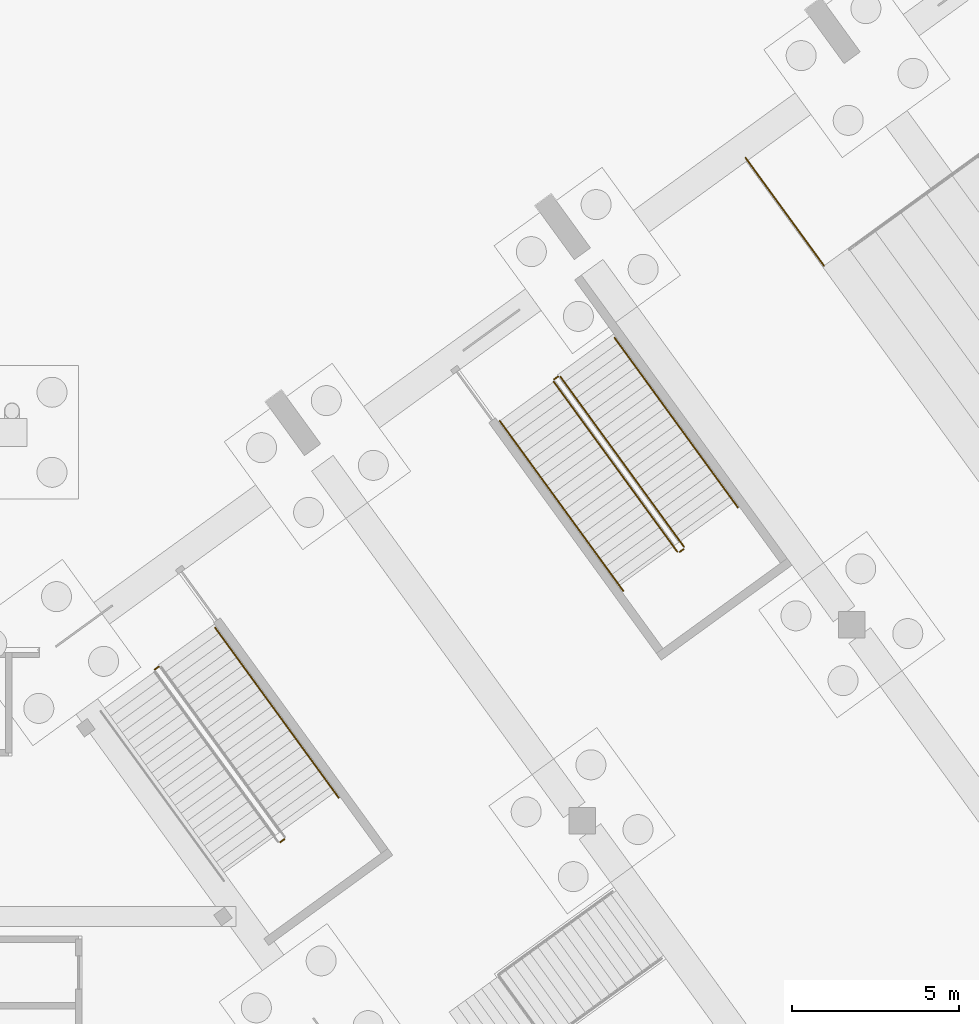
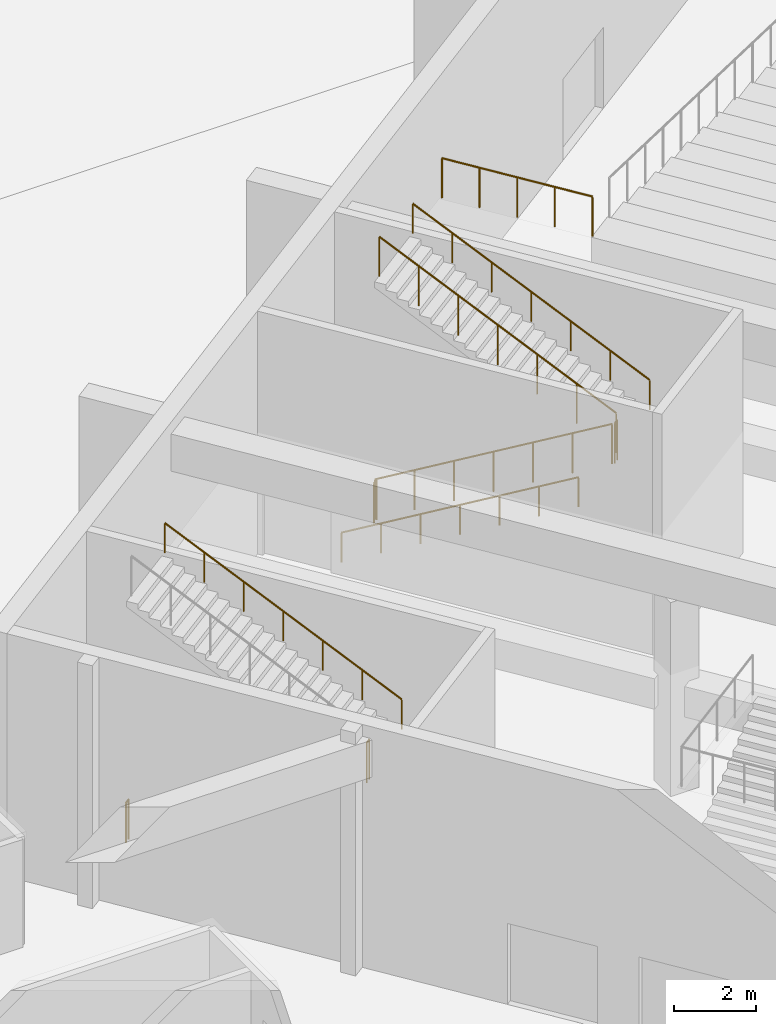
# One storey, part 234 of 239: 10 railings.
"""IFC4 building model written with IfcOpenShell, lengths in metres."""

from ifc_helpers import new_model, si_unit, direction, frame, origin, origin_2d, place, context, subcontext, project, spatial, circle, extrude, material, type_object, element, save


model = new_model("IFC4")

# Units and contexts
model_context = context("Model", 3, precision=1e-05, world=origin(), true_north=direction((0.0, 1.0)))
body_context = subcontext(model_context, "Body", "Model", "MODEL_VIEW")
ifc_project = project(units=[si_unit("LENGTHUNIT", "METRE"), si_unit("AREAUNIT", "SQUARE_METRE"), si_unit("VOLUMEUNIT", "CUBIC_METRE"), si_unit("PLANEANGLEUNIT", "RADIAN"), si_unit("MASSUNIT", "GRAM", prefix="KILO")], contexts=[model_context])

# Site, building, storey
site_placement = place(None, origin())
site = spatial("IfcSite", under=ifc_project, at=site_placement, CompositionType="ELEMENT")
building_placement = place(site_placement, origin())
building = spatial("IfcBuilding", under=site, at=building_placement, Name="Okhra Congress Centre", CompositionType="ELEMENT")
storey_placement = place(building_placement, origin())
storey = spatial("IfcBuildingStorey", under=building, at=storey_placement, Name="L00", CompositionType="ELEMENT", Elevation=0.0)

# Railings
ifc_material_1 = material(Name="Painted steel tube guard with vertical steel balusters", Category="steel")
railing_type_1 = type_object("IfcRailingType", Name="Steel guard 1200", PredefinedType="GUARDRAIL", material=ifc_material_1)
railing_1_placement = place(storey_placement, frame((221.348876953125, 211.393798828125, 3.60009765625)))
element("IfcRailing", 1, at=railing_1_placement, inside=storey, type_object=railing_type_1, Name="Promenade edge guard", PredefinedType="GUARDRAIL", context=body_context, shape_type="SweptSolid", body=[
    extrude(circle(Radius=0.02392578125, at=origin_2d()), frame((0.0, 0.0, 1.17578125), z_axis=(-0.587772420479, 0.809026317077, 0.0), x_axis=(-0.809026317077, -0.587772420479, 0.0)), (0.0, 0.0, 1.0), 4.0),
    extrude(circle(Radius=0.02099609375, at=origin_2d()), origin(), (0.0, 0.0, 1.0), 1.15185546875),
    extrude(circle(Radius=0.02099609375, at=origin_2d()), frame((-0.587890625, 0.80908203125, 0.0)), (0.0, 0.0, 1.0), 1.15185546875),
    extrude(circle(Radius=0.02099609375, at=origin_2d()), frame((-1.175537109375, 1.6181640625, 0.0)), (0.0, 0.0, 1.0), 1.15185546875),
    extrude(circle(Radius=0.02099609375, at=origin_2d()), frame((-1.76318359375, 2.427001953125, 0.0)), (0.0, 0.0, 1.0), 1.15185546875),
    extrude(circle(Radius=0.02099609375, at=origin_2d()), frame((-2.35107421875, 3.236083984375, 0.0)), (0.0, 0.0, 1.0), 1.15185546875),
])
ifc_material_2 = material(Name="Painted steel tube handrail on wall brackets", Category="steel")
railing_type_2 = type_object("IfcRailingType", Name="Steel handrail 900", PredefinedType="HANDRAIL", material=ifc_material_2)
railing_2_placement = place(storey_placement, frame((206.794921875, 195.44287109375, 3.763671875)))
element("IfcRailing", 2, at=railing_2_placement, inside=storey, type_object=railing_type_2, Name="L00 C3 stair handrail 2", PredefinedType="HANDRAIL", context=body_context, shape_type="SweptSolid", body=[
    extrude(circle(Radius=0.02392578125, at=origin_2d()), frame((0.0, 0.0, 0.8759765625), z_axis=(-0.51600648364, 0.71023612794, 0.478854833338), x_axis=(-0.809022556326, -0.587777596848, 0.0)), (0.0, 0.0, 1.0), 7.176025390625),
    extrude(circle(Radius=0.02099609375, at=origin_2d()), origin(), (0.0, 0.0, 1.0), 0.851806640625),
    extrude(circle(Radius=0.02099609375, at=origin_2d()), frame((-0.6171875, 0.849365234375, 0.57275390625)), (0.0, 0.0, 1.0), 0.851806640625),
    extrude(circle(Radius=0.02099609375, at=origin_2d()), frame((-1.234375, 1.698974609375, 1.1455078125)), (0.0, 0.0, 1.0), 0.851806640625),
    extrude(circle(Radius=0.02099609375, at=origin_2d()), frame((-1.8515625, 2.54833984375, 1.71826171875)), (0.0, 0.0, 1.0), 0.851806640625),
    extrude(circle(Radius=0.02099609375, at=origin_2d()), frame((-2.468505859375, 3.397705078125, 2.290771484375)), (0.0, 0.0, 1.0), 0.851806640625),
    extrude(circle(Radius=0.02099609375, at=origin_2d()), frame((-3.085693359375, 4.247314453125, 2.863525390625)), (0.0, 0.0, 1.0), 0.851806640625),
    extrude(circle(Radius=0.02099609375, at=origin_2d()), frame((-3.702880859375, 5.0966796875, 3.436279296875)), (0.0, 0.0, 1.0), 0.851806640625),
])
railing_3_placement = place(storey_placement, frame((211.627197265625, 206.74072265625, 0.16357421875)))
element("IfcRailing", 3, at=railing_3_placement, inside=storey, type_object=railing_type_2, Name="L00 C4 stair handrail 1", PredefinedType="HANDRAIL", context=body_context, shape_type="SweptSolid", body=[
    extrude(circle(Radius=0.02392578125, at=origin_2d()), frame((0.0, 0.0, 0.8759765625), z_axis=(0.51599807706, -0.710224557046, 0.478881053122), x_axis=(0.809022556326, 0.587777596848, 0.0)), (0.0, 0.0, 1.0), 7.17626953125),
    extrude(circle(Radius=0.02099609375, at=origin_2d()), origin(), (0.0, 0.0, 1.0), 0.851806640625),
    extrude(circle(Radius=0.02099609375, at=origin_2d()), frame((0.6171875, -0.849365234375, 0.57275390625)), (0.0, 0.0, 1.0), 0.851806640625),
    extrude(circle(Radius=0.02099609375, at=origin_2d()), frame((1.234375, -1.698974609375, 1.1455078125)), (0.0, 0.0, 1.0), 0.851806640625),
    extrude(circle(Radius=0.02099609375, at=origin_2d()), frame((1.8515625, -2.54833984375, 1.71826171875)), (0.0, 0.0, 1.0), 0.851806640625),
    extrude(circle(Radius=0.02099609375, at=origin_2d()), frame((2.468505859375, -3.397705078125, 2.291015625)), (0.0, 0.0, 1.0), 0.851806640625),
    extrude(circle(Radius=0.02099609375, at=origin_2d()), frame((3.085693359375, -4.247314453125, 2.86376953125)), (0.0, 0.0, 1.0), 0.851806640625),
    extrude(circle(Radius=0.02099609375, at=origin_2d()), frame((3.702880859375, -5.0966796875, 3.4365234375)), (0.0, 0.0, 1.0), 0.851806640625),
])
railing_4_placement = place(storey_placement, frame((218.7685546875, 204.14208984375, 3.763671875)))
element("IfcRailing", 4, at=railing_4_placement, inside=storey, type_object=railing_type_2, Name="L00 C4 stair handrail 2", PredefinedType="HANDRAIL", context=body_context, shape_type="SweptSolid", body=[
    extrude(circle(Radius=0.02392578125, at=origin_2d()), frame((0.0, 0.0, 0.8759765625), z_axis=(-0.516031445942, 0.710223659381, 0.478846426796), x_axis=(-0.809004127975, -0.587802960966, 0.0)), (0.0, 0.0, 1.0), 7.17626953125),
    extrude(circle(Radius=0.02099609375, at=origin_2d()), origin(), (0.0, 0.0, 1.0), 0.851806640625),
    extrude(circle(Radius=0.02099609375, at=origin_2d()), frame((-0.6171875, 0.849365234375, 0.57275390625)), (0.0, 0.0, 1.0), 0.851806640625),
    extrude(circle(Radius=0.02099609375, at=origin_2d()), frame((-1.234375, 1.698974609375, 1.1455078125)), (0.0, 0.0, 1.0), 0.851806640625),
    extrude(circle(Radius=0.02099609375, at=origin_2d()), frame((-1.8515625, 2.54833984375, 1.71826171875)), (0.0, 0.0, 1.0), 0.851806640625),
    extrude(circle(Radius=0.02099609375, at=origin_2d()), frame((-2.46875, 3.397705078125, 2.290771484375)), (0.0, 0.0, 1.0), 0.851806640625),
    extrude(circle(Radius=0.02099609375, at=origin_2d()), frame((-3.0859375, 4.247314453125, 2.863525390625)), (0.0, 0.0, 1.0), 0.851806640625),
    extrude(circle(Radius=0.02099609375, at=origin_2d()), frame((-3.703125, 5.0966796875, 3.436279296875)), (0.0, 0.0, 1.0), 0.851806640625),
])
railing_type_3 = type_object("IfcRailingType", Name="Steel stair guard 1200", PredefinedType="GUARDRAIL", material=ifc_material_1)
railing_5_placement = place(storey_placement, frame((205.044677734375, 194.109375, 3.60009765625)))
element("IfcRailing", 5, at=railing_5_placement, inside=storey, type_object=railing_type_3, Name="L00 C3 stair guard 2", PredefinedType="GUARDRAIL", context=body_context, shape_type="SweptSolid", body=[
    extrude(circle(Radius=0.02392578125, at=origin_2d()), frame((0.0, 0.0, 1.17578125), z_axis=(0.809087927272, 0.587687609145, 0.0), x_axis=(-0.587687609145, 0.809087927272, 0.0)), (0.0, 0.0, 1.0), 0.14990234375),
    extrude(circle(Radius=0.02099609375, at=origin_2d()), origin(), (0.0, 0.0, 1.0), 1.15185546875),
    extrude(circle(Radius=0.02099609375, at=origin_2d()), frame((0.121337890625, 0.088134765625, 0.0)), (0.0, 0.0, 1.0), 1.15185546875),
])
railing_6_placement = place(storey_placement, frame((201.28271484375, 199.286865234375, 0.0)))
element("IfcRailing", 6, at=railing_6_placement, inside=storey, type_object=railing_type_3, Name="L00 C3 stair guard 4", PredefinedType="GUARDRAIL", context=body_context, shape_type="SweptSolid", body=[
    extrude(circle(Radius=0.02392578125, at=origin_2d()), frame((0.0, 0.0, 1.17578125), z_axis=(0.808313894903, 0.588751770533, 0.0), x_axis=(-0.588751770533, 0.808313894903, 0.0)), (0.0, 0.0, 1.0), 0.150146484375),
    extrude(circle(Radius=0.02099609375, at=origin_2d()), origin(), (0.0, 0.0, 1.0), 1.15185546875),
    extrude(circle(Radius=0.02099609375, at=origin_2d()), frame((0.121337890625, 0.08837890625, 0.0)), (0.0, 0.0, 1.0), 1.15185546875),
])
railing_7_placement = place(storey_placement, frame((213.2451171875, 207.916259765625, 0.16357421875)))
element("IfcRailing", 7, at=railing_7_placement, inside=storey, type_object=railing_type_3, Name="L00 C4 stair guard 1", PredefinedType="GUARDRAIL", context=body_context, shape_type="SweptSolid", body=[
    extrude(circle(Radius=0.02392578125, at=origin_2d()), frame((0.0, 0.0, 1.17578125), z_axis=(0.516023039251, -0.710212089096, 0.478872646394), x_axis=(0.809004127975, 0.587802960966, 0.0)), (0.0, 0.0, 1.0), 7.17626953125),
    extrude(circle(Radius=0.02099609375, at=origin_2d()), origin(), (0.0, 0.0, 1.0), 1.15185546875),
    extrude(circle(Radius=0.02099609375, at=origin_2d()), frame((0.6171875, -0.849365234375, 0.57275390625)), (0.0, 0.0, 1.0), 1.15185546875),
    extrude(circle(Radius=0.02099609375, at=origin_2d()), frame((1.234375, -1.698974609375, 1.1455078125)), (0.0, 0.0, 1.0), 1.15185546875),
    extrude(circle(Radius=0.02099609375, at=origin_2d()), frame((1.8515625, -2.54833984375, 1.71826171875)), (0.0, 0.0, 1.0), 1.15185546875),
    extrude(circle(Radius=0.02099609375, at=origin_2d()), frame((2.46875, -3.397705078125, 2.291015625)), (0.0, 0.0, 1.0), 1.15185546875),
    extrude(circle(Radius=0.02099609375, at=origin_2d()), frame((3.0859375, -4.247314453125, 2.86376953125)), (0.0, 0.0, 1.0), 1.15185546875),
    extrude(circle(Radius=0.02099609375, at=origin_2d()), frame((3.703125, -5.0966796875, 3.4365234375)), (0.0, 0.0, 1.0), 1.15185546875),
])
railing_8_placement = place(storey_placement, frame((217.01806640625, 202.80859375, 3.60009765625)))
element("IfcRailing", 8, at=railing_8_placement, inside=storey, type_object=railing_type_3, Name="L00 C4 stair guard 2", PredefinedType="GUARDRAIL", context=body_context, shape_type="SweptSolid", body=[
    extrude(circle(Radius=0.02392578125, at=origin_2d()), frame((0.0, 0.0, 1.17578125), z_axis=(0.809087927272, 0.587687609145, 0.0), x_axis=(-0.587687609145, 0.809087927272, 0.0)), (0.0, 0.0, 1.0), 0.14990234375),
    extrude(circle(Radius=0.02099609375, at=origin_2d()), origin(), (0.0, 0.0, 1.0), 1.15185546875),
    extrude(circle(Radius=0.02099609375, at=origin_2d()), frame((0.121337890625, 0.088134765625, 0.0)), (0.0, 0.0, 1.0), 1.15185546875),
])
railing_9_placement = place(storey_placement, frame((217.150390625, 202.966552734375, 3.763671875)))
element("IfcRailing", 9, at=railing_9_placement, inside=storey, type_object=railing_type_3, Name="L00 C4 stair guard 3", PredefinedType="GUARDRAIL", context=body_context, shape_type="SweptSolid", body=[
    extrude(circle(Radius=0.02392578125, at=origin_2d()), frame((0.0, 0.0, 1.17578125), z_axis=(-0.516031445942, 0.710223659381, 0.478846426796), x_axis=(-0.809004127975, -0.587802960966, 0.0)), (0.0, 0.0, 1.0), 7.17626953125),
    extrude(circle(Radius=0.02099609375, at=origin_2d()), origin(), (0.0, 0.0, 1.0), 1.15185546875),
    extrude(circle(Radius=0.02099609375, at=origin_2d()), frame((-0.6171875, 0.849365234375, 0.57275390625)), (0.0, 0.0, 1.0), 1.15185546875),
    extrude(circle(Radius=0.02099609375, at=origin_2d()), frame((-1.234375, 1.698974609375, 1.1455078125)), (0.0, 0.0, 1.0), 1.15185546875),
    extrude(circle(Radius=0.02099609375, at=origin_2d()), frame((-1.8515625, 2.54833984375, 1.71826171875)), (0.0, 0.0, 1.0), 1.15185546875),
    extrude(circle(Radius=0.02099609375, at=origin_2d()), frame((-2.46875, 3.397705078125, 2.290771484375)), (0.0, 0.0, 1.0), 1.15185546875),
    extrude(circle(Radius=0.02099609375, at=origin_2d()), frame((-3.0859375, 4.247314453125, 2.863525390625)), (0.0, 0.0, 1.0), 1.15185546875),
    extrude(circle(Radius=0.02099609375, at=origin_2d()), frame((-3.703125, 5.0966796875, 3.436279296875)), (0.0, 0.0, 1.0), 1.15185546875),
])
railing_10_placement = place(storey_placement, frame((213.256103515625, 207.986083984375, 0.0)))
element("IfcRailing", 10, at=railing_10_placement, inside=storey, type_object=railing_type_3, Name="L00 C4 stair guard 4", PredefinedType="GUARDRAIL", context=body_context, shape_type="SweptSolid", body=[
    extrude(circle(Radius=0.02392578125, at=origin_2d()), frame((0.0, 0.0, 1.17578125), z_axis=(0.808313894903, 0.588751770533, 0.0), x_axis=(-0.588751770533, 0.808313894903, 0.0)), (0.0, 0.0, 1.0), 0.150146484375),
    extrude(circle(Radius=0.02099609375, at=origin_2d()), origin(), (0.0, 0.0, 1.0), 1.15185546875),
    extrude(circle(Radius=0.02099609375, at=origin_2d()), frame((0.121337890625, 0.08837890625, 0.0)), (0.0, 0.0, 1.0), 1.15185546875),
])

save(model, "model.ifc")
